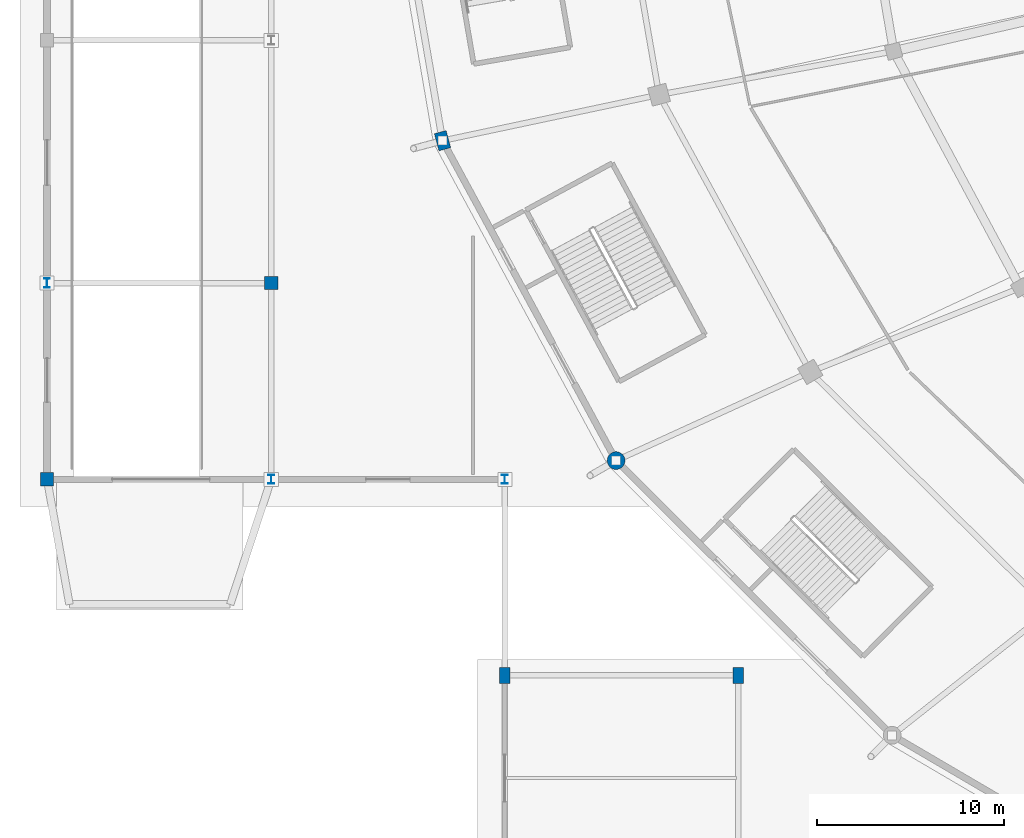
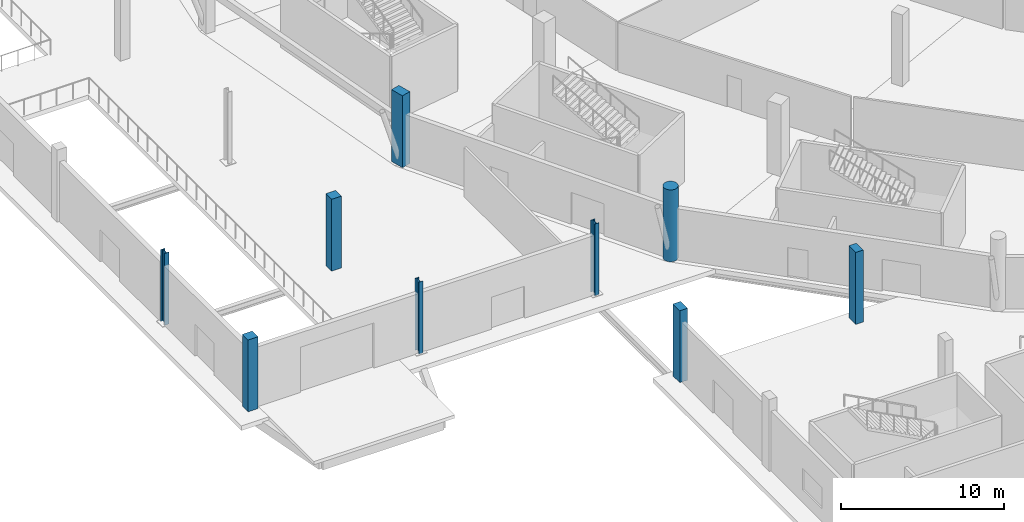
# One storey, part 2 of 82: 9 columns.
"""IFC4 building model written with IfcOpenShell, lengths in metres."""

from ifc_helpers import new_model, si_unit, direction, frame, origin, origin_2d, place, context, subcontext, project, spatial, rectangle, circle, i_section, extrude, material, material_profile, profile_set, type_object, element, save


model = new_model("IFC4")

# Units and contexts
model_context = context("Model", 3, precision=1e-05, world=origin(), true_north=direction((0.0, 1.0)))
body_context = subcontext(model_context, "Body", "Model", "MODEL_VIEW")
ifc_project = project(units=[si_unit("LENGTHUNIT", "METRE"), si_unit("AREAUNIT", "SQUARE_METRE"), si_unit("VOLUMEUNIT", "CUBIC_METRE"), si_unit("PLANEANGLEUNIT", "RADIAN"), si_unit("MASSUNIT", "GRAM", prefix="KILO")], contexts=[model_context])

# Site, building, storey
site_placement = place(None, origin())
site = spatial("IfcSite", under=ifc_project, at=site_placement, CompositionType="ELEMENT")
building_placement = place(site_placement, origin())
building = spatial("IfcBuilding", under=site, at=building_placement, Name="Zlatoyarsky Gate Stadium", CompositionType="ELEMENT")
storey_placement = place(building_placement, origin())
storey = spatial("IfcBuildingStorey", under=building, at=storey_placement, Name="L00", CompositionType="ELEMENT", Elevation=0.0)

# Columns
ifc_material_1 = material(Name="Concrete C40/50", Category="concrete")
ifc_material_profile_1 = material_profile(ifc_material_1, circle(Radius=0.47509765625, at=origin_2d()), Name="RC COL D950")
ifc_profile_set_1 = profile_set([ifc_material_profile_1], Name="Concrete C40/50")
column_type_1 = type_object("IfcColumnType", Name="CONCRETE CIRCULAR COLUMN D950", PredefinedType="COLUMN", material=ifc_profile_set_1)
column_1_placement = place(storey_placement, frame((30.459716796875, 44.5, 0.0), z_axis=(0.0, 0.0, 1.0), x_axis=(-0.866025403784, -0.5, 0.0)))
element("IfcColumn", 1, at=column_1_placement, inside=storey, type_object=column_type_1, Name="Column RC-CD95 RC-14 on L00", PredefinedType="COLUMN", context=body_context, shape_type="SweptSolid", body=[
    extrude(circle(Radius=0.47509765625, at=origin_2d()), origin(), (0.0, 0.0, 1.0), 5.39990234375),
])
ifc_material_profile_2 = material_profile(ifc_material_1, rectangle(XDim=0.699951171875, YDim=0.699951171875, at=origin_2d()), Name="RC COL 700X700")
ifc_profile_set_2 = profile_set([ifc_material_profile_2], Name="Concrete C40/50")
column_type_2 = type_object("IfcColumnType", Name="CONCRETE COLUMN 700X700", PredefinedType="COLUMN", material=ifc_profile_set_2)
for number, where, z_axis, x_axis, name in (
    (2, (0.0, 43.5, 0.0), (0.0, 0.0, 1.0), (1.0, 0.0, 0.0), "Column RC-C70 WG-1-E on L00"),
    (3, (12.0, 54.0, 0.0), (0.0, 0.0, 1.0), (1.0, 0.0, 0.0), "Column RC-C70 WG-2-F on L00"),
):
    element("IfcColumn", number, at=place(storey_placement, frame(where, z_axis=z_axis, x_axis=x_axis)), inside=storey, type_object=column_type_2, Name=name, PredefinedType="COLUMN", context=body_context, shape_type="SweptSolid", body=[
        extrude(rectangle(XDim=0.699951171875, YDim=0.699951171875, at=origin_2d()), origin(), (0.0, 0.0, 1.0), 5.39990234375),
    ])
ifc_material_profile_3 = material_profile(ifc_material_1, rectangle(XDim=0.550048828125, YDim=0.85009765625, at=origin_2d()), Name="RC PILASTER 550X850")
ifc_profile_set_3 = profile_set([ifc_material_profile_3], Name="Concrete C40/50")
column_type_3 = type_object("IfcColumnType", Name="CONCRETE PORTAL PILASTER 550X850", PredefinedType="PILASTER", material=ifc_profile_set_3)
for number, where, z_axis, x_axis, name in (
    (4, (24.5, 33.0, 0.0), (0.0, 0.0, 1.0), (1.0, 0.0, 0.0), "Column RC-PL85 WG-3-D on L00"),
    (5, (37.0, 33.0, 0.0), (0.0, 0.0, 1.0), (1.0, 0.0, 0.0), "Column RC-PL85 WG-4-D on L00"),
):
    element("IfcColumn", number, at=place(storey_placement, frame(where, z_axis=z_axis, x_axis=x_axis)), inside=storey, type_object=column_type_3, Name=name, PredefinedType="PILASTER", context=body_context, shape_type="SweptSolid", body=[
        extrude(rectangle(XDim=0.550048828125, YDim=0.85009765625, at=origin_2d()), origin(), (0.0, 0.0, 1.0), 5.39990234375),
    ])
ifc_material_profile_4 = material_profile(ifc_material_1, rectangle(XDim=0.64990234375, YDim=0.949951171875, at=origin_2d()), Name="RC PILASTER 650X950")
ifc_profile_set_4 = profile_set([ifc_material_profile_4], Name="Concrete C40/50")
column_type_4 = type_object("IfcColumnType", Name="CONCRETE PORTAL PILASTER 650X950", PredefinedType="PILASTER", material=ifc_profile_set_4)
column_2_placement = place(storey_placement, frame((21.1689453125, 61.623779296875, 0.0), z_axis=(0.0, 0.0, 1.0), x_axis=(-0.965925826289, -0.258819045103, 0.0)))
element("IfcColumn", 6, at=column_2_placement, inside=storey, type_object=column_type_4, Name="Column RC-PL95 RC-13 on L00", PredefinedType="PILASTER", context=body_context, shape_type="SweptSolid", body=[
    extrude(rectangle(XDim=0.64990234375, YDim=0.949951171875, at=origin_2d()), origin(), (0.0, 0.0, 1.0), 5.39990234375),
])
ifc_material_2 = material(Name="Steel S355", Category="steel")
ifc_material_profile_5 = material_profile(ifc_material_2, i_section(OverallWidth=0.300048828125, OverallDepth=0.5, WebThickness=0.014404296875, FlangeThickness=0.028076171875, FilletRadius=0.027099609375, at=origin_2d()), Name="HEB 500")
ifc_profile_set_5 = profile_set([ifc_material_profile_5], Name="Steel S355")
column_type_5 = type_object("IfcColumnType", Name="STEEL COLUMN HEB 500", PredefinedType="COLUMN", material=ifc_profile_set_5)
for number, where, z_axis, x_axis, name in (
    (7, (0.0, 54.0, 0.0), (0.0, 0.0, 1.0), (1.0, 0.0, 0.0), "Column ST-C500 WG-1-F on L00"),
    (8, (12.0, 43.5, 0.0), (0.0, 0.0, 1.0), (1.0, 0.0, 0.0), "Column ST-C500 WG-2-E on L00"),
    (9, (24.5, 43.5, 0.0), (0.0, 0.0, 1.0), (1.0, 0.0, 0.0), "Column ST-C500 WG-3-E on L00"),
):
    element("IfcColumn", number, at=place(storey_placement, frame(where, z_axis=z_axis, x_axis=x_axis)), inside=storey, type_object=column_type_5, Name=name, PredefinedType="COLUMN", context=body_context, shape_type="SweptSolid", body=[
        extrude(i_section(OverallWidth=0.300048828125, OverallDepth=0.5, WebThickness=0.014404296875, FlangeThickness=0.028076171875, FilletRadius=0.027099609375, at=origin_2d()), origin(), (0.0, 0.0, 1.0), 5.39990234375),
    ])

save(model, "model.ifc")
